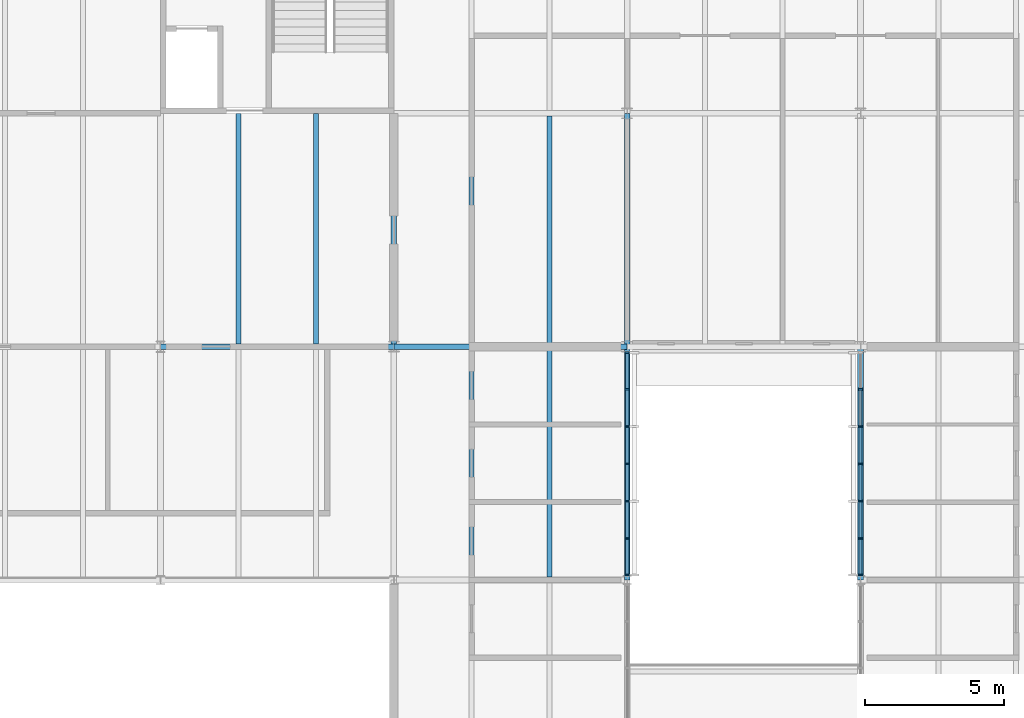
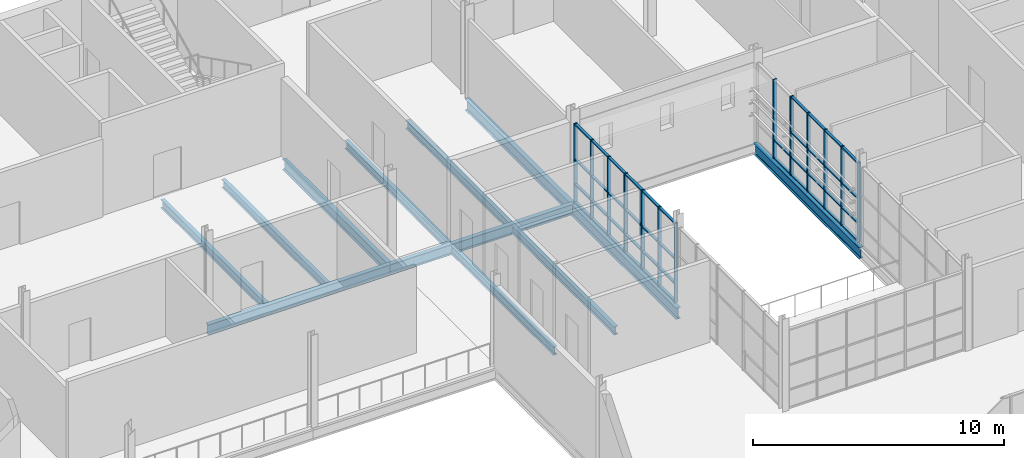
# One storey, part 53 of 129: 55 members, 12 beams, 2 elements without a shape of their own.
"""IFC4 building model written with IfcOpenShell, lengths in metres."""

from ifc_helpers import new_model, si_unit, direction, frame, origin, origin_2d, place, context, subcontext, project, spatial, rectangle, i_section, extrude, material, layer, layer_set, material_profile, profile_set, type_object, element, aggregate, save


model = new_model("IFC4")

# Units and contexts
model_context = context("Model", 3, precision=1e-05, world=origin(), true_north=direction((0.0, 1.0)))
body_context = subcontext(model_context, "Body", "Model", "MODEL_VIEW")
ifc_project = project(units=[si_unit("LENGTHUNIT", "METRE"), si_unit("AREAUNIT", "SQUARE_METRE"), si_unit("VOLUMEUNIT", "CUBIC_METRE"), si_unit("PLANEANGLEUNIT", "RADIAN"), si_unit("MASSUNIT", "GRAM", prefix="KILO")], contexts=[model_context])

# Site, building, storey
site_placement = place(None, origin())
site = spatial("IfcSite", under=ifc_project, at=site_placement, CompositionType="ELEMENT")
building_placement = place(site_placement, origin())
building = spatial("IfcBuilding", under=site, at=building_placement, Name="Ardhachandra Cancer Care Centre", CompositionType="ELEMENT")
storey_placement = place(building_placement, frame((0.0, 0.0, 4.5)))
storey = spatial("IfcBuildingStorey", under=building, at=storey_placement, Name="L01", CompositionType="ELEMENT", Elevation=4.5)

# Beams
ifc_material_1 = material(Name="Steel E350 (IS 2062)", Category="steel")
ifc_material_profile_1 = material_profile(ifc_material_1, i_section(OverallWidth=0.179931640625, OverallDepth=0.39990234375, WebThickness=0.008544921875, FlangeThickness=0.013427734375, FilletRadius=0.02099609375, at=origin_2d()), Name="NPB 400x180x66.30")
ifc_profile_set_1 = profile_set([ifc_material_profile_1], Name="Steel E350 (IS 2062)")
beam_type_1 = type_object("IfcBeamType", Name="Beam NPB 400x180x66.30", PredefinedType="BEAM", material=ifc_profile_set_1)
for number, where, z_axis, x_axis, name in (
    (1, (106.0, 79.89990234375, -0.35009765625), (0.0, 1.0, 0.0), (-1.0, 0.0, 0.0), "Secondary J12-K12@2800"),
    (2, (108.800048828125, 79.89990234375, -0.35009765625), (0.0, 1.0, 0.0), (-1.0, 0.0, 0.0), "Secondary J12-K12@5600"),
):
    element("IfcBeam", number, at=place(storey_placement, frame(where, z_axis=z_axis, x_axis=x_axis)), inside=storey, type_object=beam_type_1, Name=name, PredefinedType="BEAM", context=body_context, shape_type="SweptSolid", body=[
        extrude(i_section(OverallWidth=0.179931640625, OverallDepth=0.39990234375, WebThickness=0.008544921875, FlangeThickness=0.013427734375, FilletRadius=0.02099609375, at=origin_2d()), origin(), (0.0, 0.0, 1.0), 8.300048828125),
    ])
for number, where, z_axis, x_axis, name in (
    (3, (114.39990234375, 71.5048828125, -0.35009765625), (0.0, 1.0, 0.0), (-1.0, 0.0, 0.0), "Secondary H13-J13@2800"),
    (4, (114.39990234375, 79.89990234375, -0.35009765625), (0.0, 1.0, 0.0), (-1.0, 0.0, 0.0), "Secondary J13-K13@2800"),
    (5, (117.199951171875, 71.5048828125, -0.35009765625), (0.0, 1.0, 0.0), (-1.0, 0.0, 0.0), "Secondary H13-J13@5600"),
    (6, (117.199951171875, 79.89990234375, -0.35009765625), (0.0, 1.0, 0.0), (-1.0, 0.0, 0.0), "Secondary J13-K13@5600"),
):
    element("IfcBeam", number, at=place(storey_placement, frame(where, z_axis=z_axis, x_axis=x_axis)), inside=storey, type_object=beam_type_1, Name=name, PredefinedType="BEAM", context=body_context, shape_type="SweptSolid", body=[
        extrude(i_section(OverallWidth=0.179931640625, OverallDepth=0.39990234375, WebThickness=0.008544921875, FlangeThickness=0.013427734375, FilletRadius=0.02099609375, at=origin_2d()), origin(), (0.0, 0.0, 1.0), 8.195068359375),
    ])
ifc_material_2 = material(Name="Steel E350 (IS 2062)", Category="steel")
ifc_material_profile_2 = material_profile(ifc_material_2, i_section(OverallWidth=0.199951171875, OverallDepth=0.5, WebThickness=0.01025390625, FlangeThickness=0.01611328125, FilletRadius=0.02099609375, at=origin_2d()), Name="NPB 500x200x90.68")
ifc_profile_set_2 = profile_set([ifc_material_profile_2], Name="Steel E350 (IS 2062)")
beam_type_2 = type_object("IfcBeamType", Name="Beam NPB 500x200x90.68", PredefinedType="BEAM", material=ifc_profile_set_2)
beam_1_placement = place(storey_placement, frame((103.199951171875, 79.800048828125, -0.39990234375), z_axis=(1.0, 0.0, 0.0), x_axis=(0.0, 1.0, 0.0)))
element("IfcBeam", 7, at=beam_1_placement, inside=storey, type_object=beam_type_2, Name="Edge girder J12-J13", PredefinedType="BEAM", context=body_context, shape_type="SweptSolid", body=[
    extrude(i_section(OverallWidth=0.199951171875, OverallDepth=0.5, WebThickness=0.01025390625, FlangeThickness=0.01611328125, FilletRadius=0.02099609375, at=origin_2d()), origin(), (0.0, 0.0, 1.0), 8.400146484375),
])
for number, where, z_axis, x_axis, name in (
    (8, (111.60009765625, 79.800048828125, -0.39990234375), (1.0, 0.0, 0.0), (0.0, 1.0, 0.0), "Edge girder J13-J14"),
    (9, (111.60009765625, 79.800048828125, -0.39990234375), (0.0, 1.0, 0.0), (-1.0, 0.0, 0.0), "Edge girder J13-K13"),
):
    element("IfcBeam", number, at=place(storey_placement, frame(where, z_axis=z_axis, x_axis=x_axis)), inside=storey, type_object=beam_type_2, Name=name, PredefinedType="BEAM", context=body_context, shape_type="SweptSolid", body=[
        extrude(i_section(OverallWidth=0.199951171875, OverallDepth=0.5, WebThickness=0.01025390625, FlangeThickness=0.01611328125, FilletRadius=0.02099609375, at=origin_2d()), origin(), (0.0, 0.0, 1.0), 8.39990234375),
    ])
ifc_material_3 = material(Name="Steel E350 (IS 2062)", Category="steel")
ifc_material_profile_3 = material_profile(ifc_material_3, i_section(OverallWidth=0.2099609375, OverallDepth=0.550048828125, WebThickness=0.010986328125, FlangeThickness=0.01708984375, FilletRadius=0.02392578125, at=origin_2d()), Name="NPB 550x210x105.52")
ifc_profile_set_3 = profile_set([ifc_material_profile_3], Name="Steel E350 (IS 2062)")
beam_type_3 = type_object("IfcBeamType", Name="Beam NPB 550x210x105.52", PredefinedType="BEAM", material=ifc_profile_set_3)
beam_2_placement = place(storey_placement, frame((120.0, 71.39990234375, -0.425048828125), z_axis=(0.0, 1.0, 0.0), x_axis=(-1.0, 0.0, 0.0)))
element("IfcBeam", 10, at=beam_2_placement, inside=storey, type_object=beam_type_3, Name="Girder H14-J14", PredefinedType="BEAM", context=body_context, shape_type="SweptSolid", body=[
    extrude(i_section(OverallWidth=0.2099609375, OverallDepth=0.550048828125, WebThickness=0.010986328125, FlangeThickness=0.01708984375, FilletRadius=0.02392578125, at=origin_2d()), origin(), (0.0, 0.0, 1.0), 8.400146484375),
])
beam_3_placement = place(storey_placement, frame((120.0, 79.800048828125, -0.425048828125), z_axis=(0.0, 1.0, 0.0), x_axis=(-1.0, 0.0, 0.0)))
element("IfcBeam", 11, at=beam_3_placement, inside=storey, type_object=beam_type_3, Name="Girder J14-K14", PredefinedType="BEAM", context=body_context, shape_type="SweptSolid", body=[
    extrude(i_section(OverallWidth=0.2099609375, OverallDepth=0.550048828125, WebThickness=0.010986328125, FlangeThickness=0.01708984375, FilletRadius=0.02392578125, at=origin_2d()), origin(), (0.0, 0.0, 1.0), 8.39990234375),
])
beam_4_placement = place(storey_placement, frame((128.39990234375, 71.39990234375, -0.425048828125), z_axis=(0.0, 1.0, 0.0), x_axis=(-1.0, 0.0, 0.0)))
element("IfcBeam", 12, at=beam_4_placement, inside=storey, type_object=beam_type_3, Name="Girder H15-J15", PredefinedType="BEAM", context=body_context, shape_type="SweptSolid", body=[
    extrude(i_section(OverallWidth=0.2099609375, OverallDepth=0.550048828125, WebThickness=0.010986328125, FlangeThickness=0.01708984375, FilletRadius=0.02392578125, at=origin_2d()), origin(), (0.0, 0.0, 1.0), 8.400146484375),
])

# Curtain wall, members
ifc_material_4 = material(Name="Aluminium extrusion", Category="aluminium")
ifc_layer = layer(ifc_material_4, 0.14990234375)
ifc_layer_set = layer_set([ifc_layer], Name="Aluminium extrusion")
curtain_wall_type = type_object("IfcCurtainWallType", Name="Curtain wall run", PredefinedType="NOTDEFINED", material=ifc_layer_set)
curtain_wall_1_placement = place(storey_placement, origin())
curtain_wall_1 = element("IfcCurtainWall", 13, at=curtain_wall_1_placement, inside=storey, type_object=curtain_wall_type, Name="Curtain wall L01 e/0120000_0071400", PredefinedType="NOTDEFINED")
ifc_material_5 = material(Name="Aluminium extrusion", Category="aluminium")
ifc_material_profile_4 = material_profile(ifc_material_5, rectangle(XDim=0.159912109375, YDim=0.06005859375, at=origin_2d()), Name="Curtain wall mullion 60 x 160")
ifc_profile_set_4 = profile_set([ifc_material_profile_4], Name="Aluminium extrusion")
member_type_1 = type_object("IfcMemberType", Name="Curtain wall mullion 60 x 160", PredefinedType="MULLION", material=ifc_profile_set_4)
member_1_placement = place(storey_placement, frame((120.0, 71.580078125, 0.0), z_axis=(0.0, 0.0, 1.0), x_axis=(-1.0, 0.0, 0.0)))
member_1 = element("IfcMember", 14, at=member_1_placement, type_object=member_type_1, Name="CW mullion 1", PredefinedType="MULLION", context=body_context, shape_type="SweptSolid", body=[
    extrude(rectangle(XDim=0.159912109375, YDim=0.06005859375, at=origin_2d()), origin(), (0.0, 0.0, 1.0), 3.85009765625),
])
member_2_placement = place(storey_placement, frame((120.0, 72.893310546875, 0.0), z_axis=(0.0, 0.0, 1.0), x_axis=(-1.0, 0.0, 0.0)))
member_2 = element("IfcMember", 15, at=member_2_placement, type_object=member_type_1, Name="CW mullion 2", PredefinedType="MULLION", context=body_context, shape_type="SweptSolid", body=[
    extrude(rectangle(XDim=0.159912109375, YDim=0.06005859375, at=origin_2d()), origin(), (0.0, 0.0, 1.0), 3.85009765625),
])
member_3_placement = place(storey_placement, frame((120.0, 74.236572265625, 0.0), z_axis=(0.0, 0.0, 1.0), x_axis=(-1.0, 0.0, 0.0)))
member_3 = element("IfcMember", 16, at=member_3_placement, type_object=member_type_1, Name="CW mullion 3", PredefinedType="MULLION", context=body_context, shape_type="SweptSolid", body=[
    extrude(rectangle(XDim=0.159912109375, YDim=0.06005859375, at=origin_2d()), origin(), (0.0, 0.0, 1.0), 3.85009765625),
])
member_4_placement = place(storey_placement, frame((120.0, 75.580078125, 0.0), z_axis=(0.0, 0.0, 1.0), x_axis=(-1.0, 0.0, 0.0)))
member_4 = element("IfcMember", 17, at=member_4_placement, type_object=member_type_1, Name="CW mullion 4", PredefinedType="MULLION", context=body_context, shape_type="SweptSolid", body=[
    extrude(rectangle(XDim=0.159912109375, YDim=0.06005859375, at=origin_2d()), origin(), (0.0, 0.0, 1.0), 3.85009765625),
])
member_5_placement = place(storey_placement, frame((120.0, 76.92333984375, 0.0), z_axis=(0.0, 0.0, 1.0), x_axis=(-1.0, 0.0, 0.0)))
member_5 = element("IfcMember", 18, at=member_5_placement, type_object=member_type_1, Name="CW mullion 5", PredefinedType="MULLION", context=body_context, shape_type="SweptSolid", body=[
    extrude(rectangle(XDim=0.159912109375, YDim=0.06005859375, at=origin_2d()), origin(), (0.0, 0.0, 1.0), 3.85009765625),
])
member_6_placement = place(storey_placement, frame((120.0, 78.2666015625, 0.0), z_axis=(0.0, 0.0, 1.0), x_axis=(-1.0, 0.0, 0.0)))
member_6 = element("IfcMember", 19, at=member_6_placement, type_object=member_type_1, Name="CW mullion 6", PredefinedType="MULLION", context=body_context, shape_type="SweptSolid", body=[
    extrude(rectangle(XDim=0.159912109375, YDim=0.06005859375, at=origin_2d()), origin(), (0.0, 0.0, 1.0), 3.85009765625),
])
member_7_placement = place(storey_placement, frame((120.0, 79.580078125, 0.0), z_axis=(0.0, 0.0, 1.0), x_axis=(-1.0, 0.0, 0.0)))
member_7 = element("IfcMember", 20, at=member_7_placement, type_object=member_type_1, Name="CW mullion 7", PredefinedType="MULLION", context=body_context, shape_type="SweptSolid", body=[
    extrude(rectangle(XDim=0.159912109375, YDim=0.06005859375, at=origin_2d()), origin(), (0.0, 0.0, 1.0), 3.85009765625),
])

curtain_wall_2_placement = place(storey_placement, origin())
curtain_wall_2 = element("IfcCurtainWall", 21, at=curtain_wall_2_placement, inside=storey, type_object=curtain_wall_type, Name="Curtain wall L01 w/0128400_0071400", PredefinedType="NOTDEFINED")
member_8_placement = place(storey_placement, frame((128.39990234375, 71.580078125, 0.0), z_axis=(0.0, 0.0, 1.0), x_axis=(-1.0, 0.0, 0.0)))
member_8 = element("IfcMember", 22, at=member_8_placement, type_object=member_type_1, Name="CW mullion 1", PredefinedType="MULLION", context=body_context, shape_type="SweptSolid", body=[
    extrude(rectangle(XDim=0.159912109375, YDim=0.06005859375, at=origin_2d()), origin(), (0.0, 0.0, 1.0), 3.85009765625),
])
member_9_placement = place(storey_placement, frame((128.39990234375, 72.893310546875, 0.0), z_axis=(0.0, 0.0, 1.0), x_axis=(-1.0, 0.0, 0.0)))
member_9 = element("IfcMember", 23, at=member_9_placement, type_object=member_type_1, Name="CW mullion 2", PredefinedType="MULLION", context=body_context, shape_type="SweptSolid", body=[
    extrude(rectangle(XDim=0.159912109375, YDim=0.06005859375, at=origin_2d()), origin(), (0.0, 0.0, 1.0), 3.85009765625),
])
member_10_placement = place(storey_placement, frame((128.39990234375, 74.236572265625, 0.0), z_axis=(0.0, 0.0, 1.0), x_axis=(-1.0, 0.0, 0.0)))
member_10 = element("IfcMember", 24, at=member_10_placement, type_object=member_type_1, Name="CW mullion 3", PredefinedType="MULLION", context=body_context, shape_type="SweptSolid", body=[
    extrude(rectangle(XDim=0.159912109375, YDim=0.06005859375, at=origin_2d()), origin(), (0.0, 0.0, 1.0), 3.85009765625),
])
member_11_placement = place(storey_placement, frame((128.39990234375, 75.580078125, 0.0), z_axis=(0.0, 0.0, 1.0), x_axis=(-1.0, 0.0, 0.0)))
member_11 = element("IfcMember", 25, at=member_11_placement, type_object=member_type_1, Name="CW mullion 4", PredefinedType="MULLION", context=body_context, shape_type="SweptSolid", body=[
    extrude(rectangle(XDim=0.159912109375, YDim=0.06005859375, at=origin_2d()), origin(), (0.0, 0.0, 1.0), 3.85009765625),
])
member_12_placement = place(storey_placement, frame((128.39990234375, 76.92333984375, 0.0), z_axis=(0.0, 0.0, 1.0), x_axis=(-1.0, 0.0, 0.0)))
member_12 = element("IfcMember", 26, at=member_12_placement, type_object=member_type_1, Name="CW mullion 5", PredefinedType="MULLION", context=body_context, shape_type="SweptSolid", body=[
    extrude(rectangle(XDim=0.159912109375, YDim=0.06005859375, at=origin_2d()), origin(), (0.0, 0.0, 1.0), 3.85009765625),
])
member_13_placement = place(storey_placement, frame((128.39990234375, 78.2666015625, 0.0), z_axis=(0.0, 0.0, 1.0), x_axis=(-1.0, 0.0, 0.0)))
member_13 = element("IfcMember", 27, at=member_13_placement, type_object=member_type_1, Name="CW mullion 6", PredefinedType="MULLION", context=body_context, shape_type="SweptSolid", body=[
    extrude(rectangle(XDim=0.159912109375, YDim=0.06005859375, at=origin_2d()), origin(), (0.0, 0.0, 1.0), 3.85009765625),
])

# Member
ifc_material_6 = material(Name="Aluminium extrusion", Category="aluminium")
ifc_material_profile_5 = material_profile(ifc_material_6, rectangle(XDim=0.1201171875, YDim=0.06005859375, at=origin_2d()), Name="Curtain wall transom 60 x 120")
ifc_profile_set_5 = profile_set([ifc_material_profile_5], Name="Aluminium extrusion")
member_type_2 = type_object("IfcMemberType", Name="Curtain wall transom 60 x 120", PredefinedType="USERDEFINED", material=ifc_profile_set_5)
member_14_placement = place(storey_placement, frame((120.0, 71.610107421875, 0.030029296875), z_axis=(0.0, 1.0, 0.0), x_axis=(-1.0, 0.0, 0.0)))
member_14 = element("IfcMember", 28, at=member_14_placement, type_object=member_type_2, Name="CW transom 1.1", ObjectType="TRANSOM", PredefinedType="USERDEFINED", context=body_context, shape_type="SweptSolid", body=[
    extrude(rectangle(XDim=0.1201171875, YDim=0.06005859375, at=origin_2d()), origin(), (0.0, 0.0, 1.0), 1.253173828125),
])

member_15_placement = place(storey_placement, frame((120.0, 71.610107421875, 0.89990234375), z_axis=(0.0, 1.0, 0.0), x_axis=(-1.0, 0.0, 0.0)))
member_15 = element("IfcMember", 29, at=member_15_placement, type_object=member_type_2, Name="CW transom 1.2", ObjectType="TRANSOM", PredefinedType="USERDEFINED", context=body_context, shape_type="SweptSolid", body=[
    extrude(rectangle(XDim=0.1201171875, YDim=0.06005859375, at=origin_2d()), origin(), (0.0, 0.0, 1.0), 1.253173828125),
])

member_16_placement = place(storey_placement, frame((120.0, 71.610107421875, 2.10009765625), z_axis=(0.0, 1.0, 0.0), x_axis=(-1.0, 0.0, 0.0)))
member_16 = element("IfcMember", 30, at=member_16_placement, type_object=member_type_2, Name="CW transom 1.3", ObjectType="TRANSOM", PredefinedType="USERDEFINED", context=body_context, shape_type="SweptSolid", body=[
    extrude(rectangle(XDim=0.1201171875, YDim=0.06005859375, at=origin_2d()), origin(), (0.0, 0.0, 1.0), 1.253173828125),
])

member_17_placement = place(storey_placement, frame((120.0, 71.610107421875, 3.820068359375), z_axis=(0.0, 1.0, 0.0), x_axis=(-1.0, 0.0, 0.0)))
member_17 = element("IfcMember", 31, at=member_17_placement, type_object=member_type_2, Name="CW transom 1.4", ObjectType="TRANSOM", PredefinedType="USERDEFINED", context=body_context, shape_type="SweptSolid", body=[
    extrude(rectangle(XDim=0.1201171875, YDim=0.06005859375, at=origin_2d()), origin(), (0.0, 0.0, 1.0), 1.253173828125),
])

member_18_placement = place(storey_placement, frame((120.0, 72.92333984375, 0.030029296875), z_axis=(0.0, 1.0, 0.0), x_axis=(-1.0, 0.0, 0.0)))
member_18 = element("IfcMember", 32, at=member_18_placement, type_object=member_type_2, Name="CW transom 2.1", ObjectType="TRANSOM", PredefinedType="USERDEFINED", context=body_context, shape_type="SweptSolid", body=[
    extrude(rectangle(XDim=0.1201171875, YDim=0.06005859375, at=origin_2d()), origin(), (0.0, 0.0, 1.0), 1.283447265625),
])

member_19_placement = place(storey_placement, frame((120.0, 72.92333984375, 0.89990234375), z_axis=(0.0, 1.0, 0.0), x_axis=(-1.0, 0.0, 0.0)))
member_19 = element("IfcMember", 33, at=member_19_placement, type_object=member_type_2, Name="CW transom 2.2", ObjectType="TRANSOM", PredefinedType="USERDEFINED", context=body_context, shape_type="SweptSolid", body=[
    extrude(rectangle(XDim=0.1201171875, YDim=0.06005859375, at=origin_2d()), origin(), (0.0, 0.0, 1.0), 1.283447265625),
])

member_20_placement = place(storey_placement, frame((120.0, 72.92333984375, 2.10009765625), z_axis=(0.0, 1.0, 0.0), x_axis=(-1.0, 0.0, 0.0)))
member_20 = element("IfcMember", 34, at=member_20_placement, type_object=member_type_2, Name="CW transom 2.3", ObjectType="TRANSOM", PredefinedType="USERDEFINED", context=body_context, shape_type="SweptSolid", body=[
    extrude(rectangle(XDim=0.1201171875, YDim=0.06005859375, at=origin_2d()), origin(), (0.0, 0.0, 1.0), 1.283447265625),
])

member_21_placement = place(storey_placement, frame((120.0, 72.92333984375, 3.820068359375), z_axis=(0.0, 1.0, 0.0), x_axis=(-1.0, 0.0, 0.0)))
member_21 = element("IfcMember", 35, at=member_21_placement, type_object=member_type_2, Name="CW transom 2.4", ObjectType="TRANSOM", PredefinedType="USERDEFINED", context=body_context, shape_type="SweptSolid", body=[
    extrude(rectangle(XDim=0.1201171875, YDim=0.06005859375, at=origin_2d()), origin(), (0.0, 0.0, 1.0), 1.283447265625),
])

member_22_placement = place(storey_placement, frame((120.0, 74.2666015625, 0.030029296875), z_axis=(0.0, 1.0, 0.0), x_axis=(-1.0, 0.0, 0.0)))
member_22 = element("IfcMember", 36, at=member_22_placement, type_object=member_type_2, Name="CW transom 3.1", ObjectType="TRANSOM", PredefinedType="USERDEFINED", context=body_context, shape_type="SweptSolid", body=[
    extrude(rectangle(XDim=0.1201171875, YDim=0.06005859375, at=origin_2d()), origin(), (0.0, 0.0, 1.0), 1.283447265625),
])

member_23_placement = place(storey_placement, frame((120.0, 74.2666015625, 0.89990234375), z_axis=(0.0, 1.0, 0.0), x_axis=(-1.0, 0.0, 0.0)))
member_23 = element("IfcMember", 37, at=member_23_placement, type_object=member_type_2, Name="CW transom 3.2", ObjectType="TRANSOM", PredefinedType="USERDEFINED", context=body_context, shape_type="SweptSolid", body=[
    extrude(rectangle(XDim=0.1201171875, YDim=0.06005859375, at=origin_2d()), origin(), (0.0, 0.0, 1.0), 1.283447265625),
])

member_24_placement = place(storey_placement, frame((120.0, 74.2666015625, 2.10009765625), z_axis=(0.0, 1.0, 0.0), x_axis=(-1.0, 0.0, 0.0)))
member_24 = element("IfcMember", 38, at=member_24_placement, type_object=member_type_2, Name="CW transom 3.3", ObjectType="TRANSOM", PredefinedType="USERDEFINED", context=body_context, shape_type="SweptSolid", body=[
    extrude(rectangle(XDim=0.1201171875, YDim=0.06005859375, at=origin_2d()), origin(), (0.0, 0.0, 1.0), 1.283447265625),
])

member_25_placement = place(storey_placement, frame((120.0, 74.2666015625, 3.820068359375), z_axis=(0.0, 1.0, 0.0), x_axis=(-1.0, 0.0, 0.0)))
member_25 = element("IfcMember", 39, at=member_25_placement, type_object=member_type_2, Name="CW transom 3.4", ObjectType="TRANSOM", PredefinedType="USERDEFINED", context=body_context, shape_type="SweptSolid", body=[
    extrude(rectangle(XDim=0.1201171875, YDim=0.06005859375, at=origin_2d()), origin(), (0.0, 0.0, 1.0), 1.283447265625),
])

member_26_placement = place(storey_placement, frame((120.0, 75.610107421875, 0.030029296875), z_axis=(0.0, 1.0, 0.0), x_axis=(-1.0, 0.0, 0.0)))
member_26 = element("IfcMember", 40, at=member_26_placement, type_object=member_type_2, Name="CW transom 4.1", ObjectType="TRANSOM", PredefinedType="USERDEFINED", context=body_context, shape_type="SweptSolid", body=[
    extrude(rectangle(XDim=0.1201171875, YDim=0.06005859375, at=origin_2d()), origin(), (0.0, 0.0, 1.0), 1.283203125),
])

member_27_placement = place(storey_placement, frame((120.0, 75.610107421875, 0.89990234375), z_axis=(0.0, 1.0, 0.0), x_axis=(-1.0, 0.0, 0.0)))
member_27 = element("IfcMember", 41, at=member_27_placement, type_object=member_type_2, Name="CW transom 4.2", ObjectType="TRANSOM", PredefinedType="USERDEFINED", context=body_context, shape_type="SweptSolid", body=[
    extrude(rectangle(XDim=0.1201171875, YDim=0.06005859375, at=origin_2d()), origin(), (0.0, 0.0, 1.0), 1.283203125),
])

member_28_placement = place(storey_placement, frame((120.0, 75.610107421875, 2.10009765625), z_axis=(0.0, 1.0, 0.0), x_axis=(-1.0, 0.0, 0.0)))
member_28 = element("IfcMember", 42, at=member_28_placement, type_object=member_type_2, Name="CW transom 4.3", ObjectType="TRANSOM", PredefinedType="USERDEFINED", context=body_context, shape_type="SweptSolid", body=[
    extrude(rectangle(XDim=0.1201171875, YDim=0.06005859375, at=origin_2d()), origin(), (0.0, 0.0, 1.0), 1.283203125),
])

member_29_placement = place(storey_placement, frame((120.0, 75.610107421875, 3.820068359375), z_axis=(0.0, 1.0, 0.0), x_axis=(-1.0, 0.0, 0.0)))
member_29 = element("IfcMember", 43, at=member_29_placement, type_object=member_type_2, Name="CW transom 4.4", ObjectType="TRANSOM", PredefinedType="USERDEFINED", context=body_context, shape_type="SweptSolid", body=[
    extrude(rectangle(XDim=0.1201171875, YDim=0.06005859375, at=origin_2d()), origin(), (0.0, 0.0, 1.0), 1.283203125),
])

member_30_placement = place(storey_placement, frame((120.0, 76.953369140625, 0.030029296875), z_axis=(0.0, 1.0, 0.0), x_axis=(-1.0, 0.0, 0.0)))
member_30 = element("IfcMember", 44, at=member_30_placement, type_object=member_type_2, Name="CW transom 5.1", ObjectType="TRANSOM", PredefinedType="USERDEFINED", context=body_context, shape_type="SweptSolid", body=[
    extrude(rectangle(XDim=0.1201171875, YDim=0.06005859375, at=origin_2d()), origin(), (0.0, 0.0, 1.0), 1.283203125),
])

member_31_placement = place(storey_placement, frame((120.0, 76.953369140625, 0.89990234375), z_axis=(0.0, 1.0, 0.0), x_axis=(-1.0, 0.0, 0.0)))
member_31 = element("IfcMember", 45, at=member_31_placement, type_object=member_type_2, Name="CW transom 5.2", ObjectType="TRANSOM", PredefinedType="USERDEFINED", context=body_context, shape_type="SweptSolid", body=[
    extrude(rectangle(XDim=0.1201171875, YDim=0.06005859375, at=origin_2d()), origin(), (0.0, 0.0, 1.0), 1.283203125),
])

member_32_placement = place(storey_placement, frame((120.0, 76.953369140625, 2.10009765625), z_axis=(0.0, 1.0, 0.0), x_axis=(-1.0, 0.0, 0.0)))
member_32 = element("IfcMember", 46, at=member_32_placement, type_object=member_type_2, Name="CW transom 5.3", ObjectType="TRANSOM", PredefinedType="USERDEFINED", context=body_context, shape_type="SweptSolid", body=[
    extrude(rectangle(XDim=0.1201171875, YDim=0.06005859375, at=origin_2d()), origin(), (0.0, 0.0, 1.0), 1.283203125),
])

member_33_placement = place(storey_placement, frame((120.0, 76.953369140625, 3.820068359375), z_axis=(0.0, 1.0, 0.0), x_axis=(-1.0, 0.0, 0.0)))
member_33 = element("IfcMember", 47, at=member_33_placement, type_object=member_type_2, Name="CW transom 5.4", ObjectType="TRANSOM", PredefinedType="USERDEFINED", context=body_context, shape_type="SweptSolid", body=[
    extrude(rectangle(XDim=0.1201171875, YDim=0.06005859375, at=origin_2d()), origin(), (0.0, 0.0, 1.0), 1.283203125),
])

member_34_placement = place(storey_placement, frame((120.0, 78.296630859375, 0.030029296875), z_axis=(0.0, 1.0, 0.0), x_axis=(-1.0, 0.0, 0.0)))
member_34 = element("IfcMember", 48, at=member_34_placement, type_object=member_type_2, Name="CW transom 6.1", ObjectType="TRANSOM", PredefinedType="USERDEFINED", context=body_context, shape_type="SweptSolid", body=[
    extrude(rectangle(XDim=0.1201171875, YDim=0.06005859375, at=origin_2d()), origin(), (0.0, 0.0, 1.0), 1.25341796875),
])

member_35_placement = place(storey_placement, frame((120.0, 78.296630859375, 0.89990234375), z_axis=(0.0, 1.0, 0.0), x_axis=(-1.0, 0.0, 0.0)))
member_35 = element("IfcMember", 49, at=member_35_placement, type_object=member_type_2, Name="CW transom 6.2", ObjectType="TRANSOM", PredefinedType="USERDEFINED", context=body_context, shape_type="SweptSolid", body=[
    extrude(rectangle(XDim=0.1201171875, YDim=0.06005859375, at=origin_2d()), origin(), (0.0, 0.0, 1.0), 1.25341796875),
])

member_36_placement = place(storey_placement, frame((120.0, 78.296630859375, 2.10009765625), z_axis=(0.0, 1.0, 0.0), x_axis=(-1.0, 0.0, 0.0)))
member_36 = element("IfcMember", 50, at=member_36_placement, type_object=member_type_2, Name="CW transom 6.3", ObjectType="TRANSOM", PredefinedType="USERDEFINED", context=body_context, shape_type="SweptSolid", body=[
    extrude(rectangle(XDim=0.1201171875, YDim=0.06005859375, at=origin_2d()), origin(), (0.0, 0.0, 1.0), 1.25341796875),
])

member_37_placement = place(storey_placement, frame((120.0, 78.296630859375, 3.820068359375), z_axis=(0.0, 1.0, 0.0), x_axis=(-1.0, 0.0, 0.0)))
member_37 = element("IfcMember", 51, at=member_37_placement, type_object=member_type_2, Name="CW transom 6.4", ObjectType="TRANSOM", PredefinedType="USERDEFINED", context=body_context, shape_type="SweptSolid", body=[
    extrude(rectangle(XDim=0.1201171875, YDim=0.06005859375, at=origin_2d()), origin(), (0.0, 0.0, 1.0), 1.25341796875),
])

aggregate(curtain_wall_1, [member_1, member_2, member_3, member_4, member_5, member_6, member_7, member_14, member_15, member_16, member_17, member_18, member_19, member_20, member_21, member_22, member_23, member_24, member_25, member_26, member_27, member_28, member_29, member_30, member_31, member_32, member_33, member_34, member_35, member_36, member_37])

member_38_placement = place(storey_placement, frame((128.39990234375, 71.610107421875, 0.030029296875), z_axis=(0.0, 1.0, 0.0), x_axis=(-1.0, 0.0, 0.0)))
member_38 = element("IfcMember", 52, at=member_38_placement, type_object=member_type_2, Name="CW transom 1.1", ObjectType="TRANSOM", PredefinedType="USERDEFINED", context=body_context, shape_type="SweptSolid", body=[
    extrude(rectangle(XDim=0.1201171875, YDim=0.06005859375, at=origin_2d()), origin(), (0.0, 0.0, 1.0), 1.253173828125),
])

member_39_placement = place(storey_placement, frame((128.39990234375, 71.610107421875, 0.89990234375), z_axis=(0.0, 1.0, 0.0), x_axis=(-1.0, 0.0, 0.0)))
member_39 = element("IfcMember", 53, at=member_39_placement, type_object=member_type_2, Name="CW transom 1.2", ObjectType="TRANSOM", PredefinedType="USERDEFINED", context=body_context, shape_type="SweptSolid", body=[
    extrude(rectangle(XDim=0.1201171875, YDim=0.06005859375, at=origin_2d()), origin(), (0.0, 0.0, 1.0), 1.253173828125),
])

member_40_placement = place(storey_placement, frame((128.39990234375, 71.610107421875, 2.10009765625), z_axis=(0.0, 1.0, 0.0), x_axis=(-1.0, 0.0, 0.0)))
member_40 = element("IfcMember", 54, at=member_40_placement, type_object=member_type_2, Name="CW transom 1.3", ObjectType="TRANSOM", PredefinedType="USERDEFINED", context=body_context, shape_type="SweptSolid", body=[
    extrude(rectangle(XDim=0.1201171875, YDim=0.06005859375, at=origin_2d()), origin(), (0.0, 0.0, 1.0), 1.253173828125),
])

member_41_placement = place(storey_placement, frame((128.39990234375, 71.610107421875, 3.820068359375), z_axis=(0.0, 1.0, 0.0), x_axis=(-1.0, 0.0, 0.0)))
member_41 = element("IfcMember", 55, at=member_41_placement, type_object=member_type_2, Name="CW transom 1.4", ObjectType="TRANSOM", PredefinedType="USERDEFINED", context=body_context, shape_type="SweptSolid", body=[
    extrude(rectangle(XDim=0.1201171875, YDim=0.06005859375, at=origin_2d()), origin(), (0.0, 0.0, 1.0), 1.253173828125),
])

member_42_placement = place(storey_placement, frame((128.39990234375, 72.92333984375, 0.030029296875), z_axis=(0.0, 1.0, 0.0), x_axis=(-1.0, 0.0, 0.0)))
member_42 = element("IfcMember", 56, at=member_42_placement, type_object=member_type_2, Name="CW transom 2.1", ObjectType="TRANSOM", PredefinedType="USERDEFINED", context=body_context, shape_type="SweptSolid", body=[
    extrude(rectangle(XDim=0.1201171875, YDim=0.06005859375, at=origin_2d()), origin(), (0.0, 0.0, 1.0), 1.283447265625),
])

member_43_placement = place(storey_placement, frame((128.39990234375, 72.92333984375, 0.89990234375), z_axis=(0.0, 1.0, 0.0), x_axis=(-1.0, 0.0, 0.0)))
member_43 = element("IfcMember", 57, at=member_43_placement, type_object=member_type_2, Name="CW transom 2.2", ObjectType="TRANSOM", PredefinedType="USERDEFINED", context=body_context, shape_type="SweptSolid", body=[
    extrude(rectangle(XDim=0.1201171875, YDim=0.06005859375, at=origin_2d()), origin(), (0.0, 0.0, 1.0), 1.283447265625),
])

member_44_placement = place(storey_placement, frame((128.39990234375, 72.92333984375, 2.10009765625), z_axis=(0.0, 1.0, 0.0), x_axis=(-1.0, 0.0, 0.0)))
member_44 = element("IfcMember", 58, at=member_44_placement, type_object=member_type_2, Name="CW transom 2.3", ObjectType="TRANSOM", PredefinedType="USERDEFINED", context=body_context, shape_type="SweptSolid", body=[
    extrude(rectangle(XDim=0.1201171875, YDim=0.06005859375, at=origin_2d()), origin(), (0.0, 0.0, 1.0), 1.283447265625),
])

member_45_placement = place(storey_placement, frame((128.39990234375, 72.92333984375, 3.820068359375), z_axis=(0.0, 1.0, 0.0), x_axis=(-1.0, 0.0, 0.0)))
member_45 = element("IfcMember", 59, at=member_45_placement, type_object=member_type_2, Name="CW transom 2.4", ObjectType="TRANSOM", PredefinedType="USERDEFINED", context=body_context, shape_type="SweptSolid", body=[
    extrude(rectangle(XDim=0.1201171875, YDim=0.06005859375, at=origin_2d()), origin(), (0.0, 0.0, 1.0), 1.283447265625),
])

member_46_placement = place(storey_placement, frame((128.39990234375, 74.2666015625, 0.030029296875), z_axis=(0.0, 1.0, 0.0), x_axis=(-1.0, 0.0, 0.0)))
member_46 = element("IfcMember", 60, at=member_46_placement, type_object=member_type_2, Name="CW transom 3.1", ObjectType="TRANSOM", PredefinedType="USERDEFINED", context=body_context, shape_type="SweptSolid", body=[
    extrude(rectangle(XDim=0.1201171875, YDim=0.06005859375, at=origin_2d()), origin(), (0.0, 0.0, 1.0), 1.283447265625),
])

member_47_placement = place(storey_placement, frame((128.39990234375, 74.2666015625, 0.89990234375), z_axis=(0.0, 1.0, 0.0), x_axis=(-1.0, 0.0, 0.0)))
member_47 = element("IfcMember", 61, at=member_47_placement, type_object=member_type_2, Name="CW transom 3.2", ObjectType="TRANSOM", PredefinedType="USERDEFINED", context=body_context, shape_type="SweptSolid", body=[
    extrude(rectangle(XDim=0.1201171875, YDim=0.06005859375, at=origin_2d()), origin(), (0.0, 0.0, 1.0), 1.283447265625),
])

member_48_placement = place(storey_placement, frame((128.39990234375, 74.2666015625, 2.10009765625), z_axis=(0.0, 1.0, 0.0), x_axis=(-1.0, 0.0, 0.0)))
member_48 = element("IfcMember", 62, at=member_48_placement, type_object=member_type_2, Name="CW transom 3.3", ObjectType="TRANSOM", PredefinedType="USERDEFINED", context=body_context, shape_type="SweptSolid", body=[
    extrude(rectangle(XDim=0.1201171875, YDim=0.06005859375, at=origin_2d()), origin(), (0.0, 0.0, 1.0), 1.283447265625),
])

member_49_placement = place(storey_placement, frame((128.39990234375, 74.2666015625, 3.820068359375), z_axis=(0.0, 1.0, 0.0), x_axis=(-1.0, 0.0, 0.0)))
member_49 = element("IfcMember", 63, at=member_49_placement, type_object=member_type_2, Name="CW transom 3.4", ObjectType="TRANSOM", PredefinedType="USERDEFINED", context=body_context, shape_type="SweptSolid", body=[
    extrude(rectangle(XDim=0.1201171875, YDim=0.06005859375, at=origin_2d()), origin(), (0.0, 0.0, 1.0), 1.283447265625),
])

member_50_placement = place(storey_placement, frame((128.39990234375, 75.610107421875, 0.030029296875), z_axis=(0.0, 1.0, 0.0), x_axis=(-1.0, 0.0, 0.0)))
member_50 = element("IfcMember", 64, at=member_50_placement, type_object=member_type_2, Name="CW transom 4.1", ObjectType="TRANSOM", PredefinedType="USERDEFINED", context=body_context, shape_type="SweptSolid", body=[
    extrude(rectangle(XDim=0.1201171875, YDim=0.06005859375, at=origin_2d()), origin(), (0.0, 0.0, 1.0), 1.283203125),
])

member_51_placement = place(storey_placement, frame((128.39990234375, 75.610107421875, 0.89990234375), z_axis=(0.0, 1.0, 0.0), x_axis=(-1.0, 0.0, 0.0)))
member_51 = element("IfcMember", 65, at=member_51_placement, type_object=member_type_2, Name="CW transom 4.2", ObjectType="TRANSOM", PredefinedType="USERDEFINED", context=body_context, shape_type="SweptSolid", body=[
    extrude(rectangle(XDim=0.1201171875, YDim=0.06005859375, at=origin_2d()), origin(), (0.0, 0.0, 1.0), 1.283203125),
])

member_52_placement = place(storey_placement, frame((128.39990234375, 75.610107421875, 2.10009765625), z_axis=(0.0, 1.0, 0.0), x_axis=(-1.0, 0.0, 0.0)))
member_52 = element("IfcMember", 66, at=member_52_placement, type_object=member_type_2, Name="CW transom 4.3", ObjectType="TRANSOM", PredefinedType="USERDEFINED", context=body_context, shape_type="SweptSolid", body=[
    extrude(rectangle(XDim=0.1201171875, YDim=0.06005859375, at=origin_2d()), origin(), (0.0, 0.0, 1.0), 1.283203125),
])

member_53_placement = place(storey_placement, frame((128.39990234375, 75.610107421875, 3.820068359375), z_axis=(0.0, 1.0, 0.0), x_axis=(-1.0, 0.0, 0.0)))
member_53 = element("IfcMember", 67, at=member_53_placement, type_object=member_type_2, Name="CW transom 4.4", ObjectType="TRANSOM", PredefinedType="USERDEFINED", context=body_context, shape_type="SweptSolid", body=[
    extrude(rectangle(XDim=0.1201171875, YDim=0.06005859375, at=origin_2d()), origin(), (0.0, 0.0, 1.0), 1.283203125),
])

member_54_placement = place(storey_placement, frame((128.39990234375, 76.953369140625, 0.030029296875), z_axis=(0.0, 1.0, 0.0), x_axis=(-1.0, 0.0, 0.0)))
member_54 = element("IfcMember", 68, at=member_54_placement, type_object=member_type_2, Name="CW transom 5.1", ObjectType="TRANSOM", PredefinedType="USERDEFINED", context=body_context, shape_type="SweptSolid", body=[
    extrude(rectangle(XDim=0.1201171875, YDim=0.06005859375, at=origin_2d()), origin(), (0.0, 0.0, 1.0), 1.283203125),
])

member_55_placement = place(storey_placement, frame((128.39990234375, 76.953369140625, 0.89990234375), z_axis=(0.0, 1.0, 0.0), x_axis=(-1.0, 0.0, 0.0)))
member_55 = element("IfcMember", 69, at=member_55_placement, type_object=member_type_2, Name="CW transom 5.2", ObjectType="TRANSOM", PredefinedType="USERDEFINED", context=body_context, shape_type="SweptSolid", body=[
    extrude(rectangle(XDim=0.1201171875, YDim=0.06005859375, at=origin_2d()), origin(), (0.0, 0.0, 1.0), 1.283203125),
])

aggregate(curtain_wall_2, [member_8, member_9, member_10, member_11, member_12, member_13, member_38, member_39, member_40, member_41, member_42, member_43, member_44, member_45, member_46, member_47, member_48, member_49, member_50, member_51, member_52, member_53, member_54, member_55])

save(model, "model.ifc")
